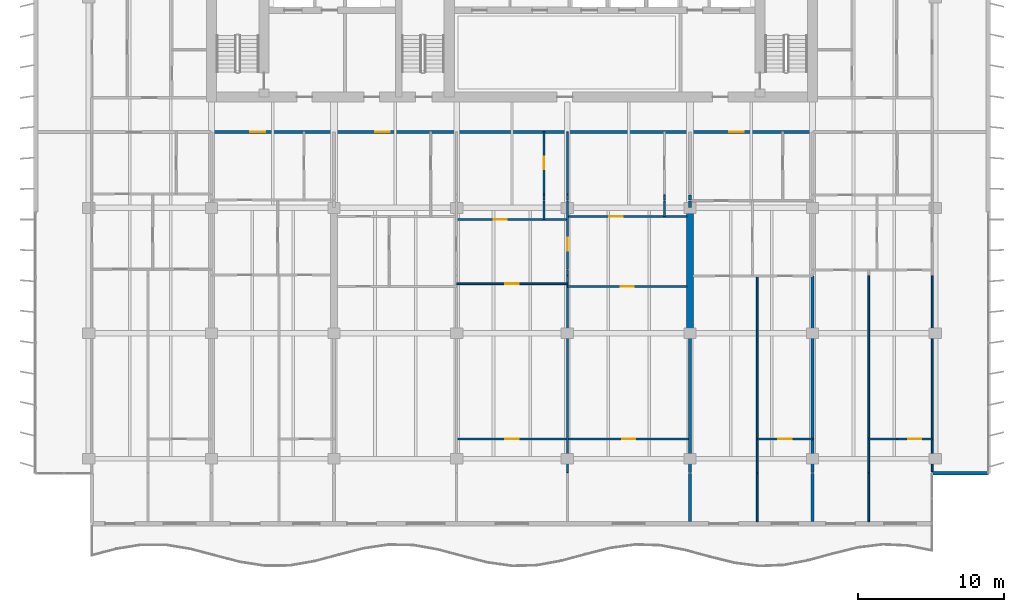
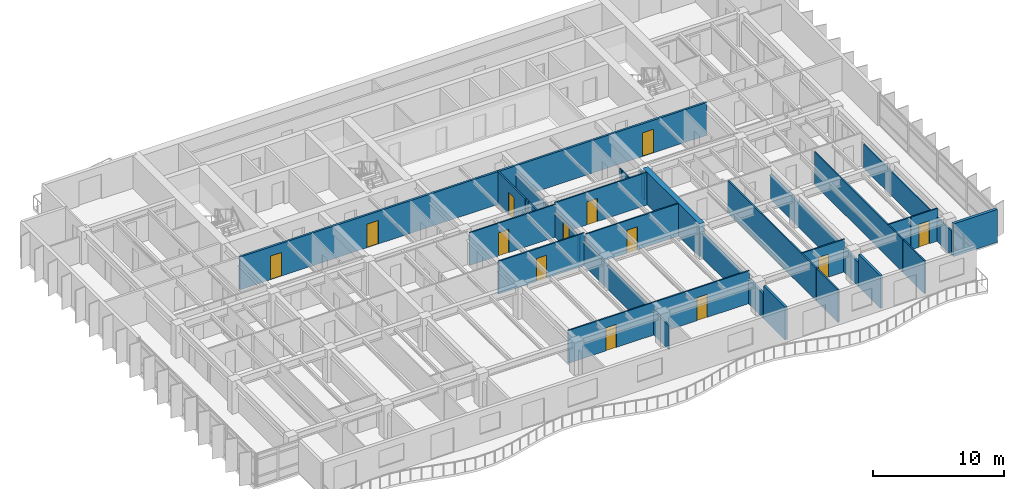
# One storey, part 10 of 18: 32 walls, 13 doors, 13 openings.
"""IFC4 building model written with IfcOpenShell, lengths in metres."""

import ifcopenshell
import ifcopenshell.guid

model = None  # the IFC model being written
_history = None  # IfcOwnerHistory: only IFC2X3 demands one
_inside = {}  # id of a spatial element -> (the spatial element, [elements in it])
_under = {}  # id of a project, library or spatial element -> (it, [spatial elements below it])
_declared = {}  # id of a project -> (the project, [libraries it declares])
_typed = {}  # id of a type object -> (the type object, [elements of that type])
_made_of = {}  # id of a material, layer set ... -> (it, [elements and type objects made of it])


def new_model(schema):
    """Start an empty IFC model of exactly this schema.

    Asked for "IFC4X3", IfcOpenShell would pick the latest addendum, in which some entities
    have other attributes; the version numbers below select the first issue.
    IFC2X3 requires an IfcOwnerHistory on every rooted entity: one is made here for all.
    """
    global model, _history
    if schema == "IFC4X3":
        model = ifcopenshell.file(schema_version=(4, 3, 0, 0))
    else:
        model = ifcopenshell.file(schema=schema)
    _inside.clear()
    _under.clear()
    _declared.clear()
    _typed.clear()
    _made_of.clear()
    _history = None
    if model.schema == "IFC2X3":
        org = make("IfcOrganization", Name="unknown")
        user = make(
            "IfcPersonAndOrganization",
            ThePerson=make("IfcPerson", FamilyName="unknown"),
            TheOrganization=org,
        )
        app = make(
            "IfcApplication",
            ApplicationDeveloper=org,
            Version="unknown",
            ApplicationFullName="unknown",
            ApplicationIdentifier="unknown",
        )
        _history = make(
            "IfcOwnerHistory",
            OwningUser=user,
            OwningApplication=app,
            ChangeAction="ADDED",
            CreationDate=0,
        )
    return model


def make(cls, **values):
    """One entity of the class cls with the attributes given. An attribute that is None is left unset."""
    return model.create_entity(
        cls, **{name: value for name, value in values.items() if value is not None}
    )


def rooted(cls, **values):
    """An entity with a GlobalId (a new one), such as an element, a storey or a relation."""
    return make(cls, GlobalId=ifcopenshell.guid.new(), OwnerHistory=_history, **values)


def si_unit(unit_type, name, prefix=None):
    """IfcSIUnit, for example si_unit("LENGTHUNIT", "METRE", prefix="MILLI")."""
    return make("IfcSIUnit", UnitType=unit_type, Prefix=prefix, Name=name)


def assignment(units):
    """IfcUnitAssignment: the units of a project."""
    return None if units is None else make("IfcUnitAssignment", Units=units)


def point(xyz):
    """IfcCartesianPoint."""
    return None if xyz is None else make("IfcCartesianPoint", Coordinates=xyz)


def direction(xyz):
    """IfcDirection."""
    return None if xyz is None else make("IfcDirection", DirectionRatios=xyz)


def frame(location, z_axis=None, x_axis=None):
    """IfcAxis2Placement3D, a coordinate frame: its origin and axes. An axis left out is left unset."""
    return make(
        "IfcAxis2Placement3D",
        Location=point(location),
        Axis=direction(z_axis),
        RefDirection=direction(x_axis),
    )


def frame_2d(location, x_axis=None):
    """IfcAxis2Placement2D, a coordinate frame in the plane: its origin and x axis."""
    return make(
        "IfcAxis2Placement2D", Location=point(location), RefDirection=direction(x_axis)
    )


def origin():
    """The frame at (0, 0, 0) with its axes left unset."""
    return frame((0.0, 0.0, 0.0))


def place(relative_to, where):
    """IfcLocalPlacement: puts the frame where relative to a parent placement (None: the world)."""
    return make(
        "IfcLocalPlacement", PlacementRelTo=relative_to, RelativePlacement=where
    )


def context(
    kind, dimensions, precision=None, world=None, true_north=None, identifier=None
):
    """IfcGeometricRepresentationContext, for example the 3D "Model" context."""
    return make(
        "IfcGeometricRepresentationContext",
        ContextIdentifier=identifier,
        ContextType=kind,
        CoordinateSpaceDimension=dimensions,
        Precision=precision,
        WorldCoordinateSystem=world,
        TrueNorth=true_north,
    )


def subcontext(parent, identifier, kind, view, scale=None):
    """IfcGeometricRepresentationSubContext, for example "Body" below "Model"."""
    return make(
        "IfcGeometricRepresentationSubContext",
        ContextIdentifier=identifier,
        ContextType=kind,
        ParentContext=parent,
        TargetScale=scale,
        TargetView=view,
    )


def project(units=None, contexts=None):
    """IfcProject with its units and contexts."""
    return rooted(
        "IfcProject",
        Name="project",
        RepresentationContexts=contexts,
        UnitsInContext=assignment(units),
    )


def spatial(cls, under=None, at=None, **own):
    """A site, building, storey or space (cls), placed at a placement, below another one or the project."""
    s = rooted(cls, ObjectPlacement=at, **own)
    if under is not None:
        _under.setdefault(under.id(), (under, []))[1].append(s)
    return s


def profile(cls, at=None, kind="AREA", **sizes):
    """A parametric profile (cls). Its sizes go by their IFC names, for example OverallWidth=200.0."""
    return make(cls, ProfileType=kind, Position=at, **sizes)


def rectangle(**sizes):
    """IfcRectangleProfileDef."""
    return profile("IfcRectangleProfileDef", **sizes)


def extrude(swept, where, along, depth):
    """IfcExtrudedAreaSolid: the profile swept, set in the frame where, extruded along a direction by depth."""
    return make(
        "IfcExtrudedAreaSolid",
        SweptArea=swept,
        Position=where,
        ExtrudedDirection=direction(along),
        Depth=depth,
    )


def shape(context_of_items, identifier, shape_type, items):
    """IfcShapeRepresentation: the items that make up one representation, for example the "Body"."""
    return make(
        "IfcShapeRepresentation",
        ContextOfItems=context_of_items,
        RepresentationIdentifier=identifier,
        RepresentationType=shape_type,
        Items=items,
    )


def material(Name=None, Category=None):
    """IfcMaterial."""
    return make("IfcMaterial", Name=Name, Category=Category)


def layer(
    of_material, thickness, ventilated=None, Name=None, Category=None, Priority=None
):
    """IfcMaterialLayer: one layer of a wall or slab, of a material (None: an air gap)."""
    return make(
        "IfcMaterialLayer",
        Material=of_material,
        LayerThickness=thickness,
        IsVentilated=ventilated,
        Name=Name,
        Category=Category,
        Priority=Priority,
    )


def layer_set(layers, Name=None):
    """IfcMaterialLayerSet."""
    return make("IfcMaterialLayerSet", MaterialLayers=layers, LayerSetName=Name)


def made_of(thing, what):
    """Note that an element or type object is made of a material, layer set ...; save() writes the relation."""
    if what is not None:
        _made_of.setdefault(what.id(), (what, []))[1].append(thing)
    return thing


def type_object(cls, material=None, **own):
    """A type object (cls), such as IfcWallType, which elements share."""
    return made_of(rooted(cls, **own), material)


def element(
    cls,
    number,
    at=None,
    inside=None,
    cuts=None,
    type_object=None,
    material=None,
    context=None,
    identifier="Body",
    shape_type=None,
    held_by="IfcProductDefinitionShape",
    body=None,
    shapes=None,
    **own,
):
    """One element of the class cls, such as IfcWall. Its Tag is "e" and its number.

    at: its placement. inside: the storey or other place that contains it. cuts: it is an
    opening in that element (IfcRelVoidsElement). A single representation is given by context,
    identifier, shape_type and body (its items); several are given by shapes. held_by: the class
    of the entity that holds the representations. save() writes the other relations.
    """
    e = rooted(cls, Tag="e%d" % number, ObjectPlacement=at, **own)
    if body is not None:
        shapes = [shape(context, identifier, shape_type, body)]
    if shapes is not None:
        e.Representation = make(held_by, Representations=shapes)
    if inside is not None:
        _inside.setdefault(inside.id(), (inside, []))[1].append(e)
    if cuts is not None:
        rooted(
            "IfcRelVoidsElement", RelatingBuildingElement=cuts, RelatedOpeningElement=e
        )
    if type_object is not None:
        _typed.setdefault(type_object.id(), (type_object, []))[1].append(e)
    return made_of(e, material)


def fill(opening, filler):
    """IfcRelFillsElement: the door or window that sits in an opening."""
    return rooted(
        "IfcRelFillsElement",
        RelatingOpeningElement=opening,
        RelatedBuildingElement=filler,
    )


def aggregate(whole, parts):
    """IfcRelAggregates: a whole, such as a stair, and the parts it consists of."""
    return rooted("IfcRelAggregates", RelatingObject=whole, RelatedObjects=parts)


def save(model, path):
    """Write the relations noted so far, then the file.

    IfcRelAggregates (storeys below a building ...), IfcRelContainedInSpatialStructure (elements
    in a storey), IfcRelDefinesByType, IfcRelAssociatesMaterial and IfcRelDeclares: one each for
    every whole, place, type object, material and project.
    """
    for whole, parts in _under.values():
        aggregate(whole, parts)
    for where, things in _inside.values():
        rooted(
            "IfcRelContainedInSpatialStructure",
            RelatedElements=things,
            RelatingStructure=where,
        )
    for kind, things in _typed.values():
        rooted("IfcRelDefinesByType", RelatedObjects=things, RelatingType=kind)
    for what, things in _made_of.values():
        rooted("IfcRelAssociatesMaterial", RelatedObjects=things, RelatingMaterial=what)
    for by, libraries in _declared.values():
        rooted("IfcRelDeclares", RelatingContext=by, RelatedDefinitions=libraries)
    model.write(path)


model = new_model("IFC4")

# Units and contexts
model_context = context("Model", 3, precision=1e-05, world=origin(), true_north=direction((0.0, 1.0)))
body_context = subcontext(model_context, "Body", "Model", "MODEL_VIEW")
ifc_project = project(units=[si_unit("LENGTHUNIT", "METRE"), si_unit("AREAUNIT", "SQUARE_METRE"), si_unit("VOLUMEUNIT", "CUBIC_METRE"), si_unit("PLANEANGLEUNIT", "RADIAN"), si_unit("MASSUNIT", "GRAM", prefix="KILO")], contexts=[model_context])

# Site, building, storey
site_placement = place(None, origin())
site = spatial("IfcSite", under=ifc_project, at=site_placement, CompositionType="ELEMENT")
building_placement = place(site_placement, origin())
building = spatial("IfcBuilding", under=site, at=building_placement, Name="Caelmar Bay Residences", CompositionType="ELEMENT")
storey_placement = place(building_placement, frame((0.0, 0.0, 173.699951171875)))
storey = spatial("IfcBuildingStorey", under=building, at=storey_placement, Name="L48", CompositionType="ELEMENT", Elevation=173.699951171875)

# Wall
ifc_material_1 = material(Name="Concrete f'c 55 MPa (8,000 psi)", Category="concrete")
ifc_layer_1 = layer(ifc_material_1, 0.449951171875)
ifc_layer_set_1 = layer_set([ifc_layer_1], Name="Concrete f'c 55 MPa (8,000 psi)")
wall_type_1 = type_object("IfcWallType", Name="SW-XSLB-450", PredefinedType="SHEAR", material=ifc_layer_set_1)
wall_1_placement = place(storey_placement, frame((51.10009765625, 20.800048828125, 0.0), z_axis=(0.0, 0.0, 1.0), x_axis=(0.0, 1.0, 0.0)))
element("IfcWall", 1, at=wall_1_placement, inside=storey, type_object=wall_type_1, Name="L48 Transverse Cross-Slab Shear Wall E8", PredefinedType="SHEAR", context=body_context, shape_type="SweptSolid", body=[
    extrude(rectangle(XDim=8.599853515625, YDim=0.449951171875, at=frame_2d((4.2998046875, 0.0))), origin(), (0.0, 0.0, 1.0), 3.050048828125),
])

# Wall, openings, doors
ifc_material_2 = material(Name="Double-stud acoustic fire-rated gypsum partition 180 mm")
ifc_layer_2 = layer(ifc_material_2, 0.179931640625)
ifc_layer_set_2 = layer_set([ifc_layer_2], Name="Double-stud acoustic fire-rated gypsum partition 180 mm")
wall_type_2 = type_object("IfcWallType", Name="W-COR-200", PredefinedType="PARTITIONING", material=ifc_layer_set_2)
wall_2_placement = place(storey_placement, frame((18.300048828125, 34.60009765625, 0.0), z_axis=(0.0, 0.0, 1.0), x_axis=(1.0, 0.0, 0.0)))
wall_2 = element("IfcWall", 2, at=wall_2_placement, inside=storey, type_object=wall_type_2, Name="L48 Partition Wall H128", PredefinedType="PARTITIONING", context=body_context, shape_type="SweptSolid", body=[
    extrude(rectangle(XDim=41.199951171875, YDim=0.179931640625, at=frame_2d((20.60009765625, 0.0))), origin(), (0.0, 0.0, 1.0), 3.050048828125),
])
opening_1_placement = place(wall_2_placement, frame((2.669921875, 0.0, 0.0)))
opening_1 = element("IfcOpeningElement", 3, at=opening_1_placement, cuts=wall_2, Name="Opening D-L48-127", PredefinedType="OPENING", context=body_context, shape_type="SweptSolid", body=[
    extrude(rectangle(XDim=1.0, YDim=2.199951171875, at=frame_2d((0.5, 1.10009765625))), frame((0.0, 0.099853515625, 0.0), z_axis=(0.0, -1.0, 0.0), x_axis=(1.0, 0.0, 0.0)), (0.0, 0.0, 1.0), 0.199951171875),
])
opening_2_placement = place(wall_2_placement, frame((11.2119140625, 0.0, 0.0)))
opening_2 = element("IfcOpeningElement", 4, at=opening_2_placement, cuts=wall_2, Name="Opening D-L48-134", PredefinedType="OPENING", context=body_context, shape_type="SweptSolid", body=[
    extrude(rectangle(XDim=1.0, YDim=2.199951171875, at=frame_2d((0.5, 1.10009765625))), frame((0.0, 0.099853515625, 0.0), z_axis=(0.0, -1.0, 0.0), x_axis=(1.0, 0.0, 0.0)), (0.0, 0.0, 1.0), 0.199951171875),
])
opening_3_placement = place(wall_2_placement, frame((35.48291015625, 0.0, 0.0)))
opening_3 = element("IfcOpeningElement", 5, at=opening_3_placement, cuts=wall_2, Name="Opening D-L48-149", PredefinedType="OPENING", context=body_context, shape_type="SweptSolid", body=[
    extrude(rectangle(XDim=1.0, YDim=2.199951171875, at=frame_2d((0.5, 1.10009765625))), frame((0.0, 0.099853515625, 0.0), z_axis=(0.0, -1.0, 0.0), x_axis=(1.0, 0.0, 0.0)), (0.0, 0.0, 1.0), 0.199951171875),
])
ifc_material_3 = material(Name="Fire-rated steel and walnut architectural door assembly", Category="steel")
ifc_layer_3 = layer(ifc_material_3, 0.050048828125)
ifc_layer_set_3 = layer_set([ifc_layer_3], Name="Fire-rated steel and walnut architectural door assembly")
door_type_1 = type_object("IfcDoorType", Name="D-UNIT-1000", OperationType="NOTDEFINED", PredefinedType="DOOR", material=ifc_layer_set_3)
door_1_placement = place(opening_1_placement, origin())
door_1 = element("IfcDoor", 6, at=door_1_placement, inside=storey, type_object=door_type_1, Name="L48 Residence 02 Apartment Hall Door", OperationType="SINGLE_SWING_RIGHT", OverallHeight=2.199951171875, OverallWidth=1.0, PredefinedType="DOOR", context=body_context, shape_type="SweptSolid", body=[
    extrude(rectangle(XDim=1.0, YDim=2.199951171875, at=frame_2d((0.5, 1.10009765625))), frame((0.0, 0.02490234375, 0.0), z_axis=(0.0, -1.0, 0.0), x_axis=(1.0, 0.0, 0.0)), (0.0, 0.0, 1.0), 0.050048828125),
])
fill(opening_1, door_1)
door_2_placement = place(opening_2_placement, origin())
door_2 = element("IfcDoor", 7, at=door_2_placement, inside=storey, type_object=door_type_1, Name="L48 Residence 03 Apartment Hall Door", OperationType="SINGLE_SWING_LEFT", OverallHeight=2.199951171875, OverallWidth=1.0, PredefinedType="DOOR", context=body_context, shape_type="SweptSolid", body=[
    extrude(rectangle(XDim=1.0, YDim=2.199951171875, at=frame_2d((0.5, 1.10009765625))), frame((0.0, 0.02490234375, 0.0), z_axis=(0.0, -1.0, 0.0), x_axis=(1.0, 0.0, 0.0)), (0.0, 0.0, 1.0), 0.050048828125),
])
fill(opening_2, door_2)
door_3_placement = place(opening_3_placement, origin())
door_3 = element("IfcDoor", 8, at=door_3_placement, inside=storey, type_object=door_type_1, Name="L48 Residence 04 Apartment Hall Door", OperationType="SINGLE_SWING_RIGHT", OverallHeight=2.199951171875, OverallWidth=1.0, PredefinedType="DOOR", context=body_context, shape_type="SweptSolid", body=[
    extrude(rectangle(XDim=1.0, YDim=2.199951171875, at=frame_2d((0.5, 1.10009765625))), frame((0.0, 0.02490234375, 0.0), z_axis=(0.0, -1.0, 0.0), x_axis=(1.0, 0.0, 0.0)), (0.0, 0.0, 1.0), 0.050048828125),
])
fill(opening_3, door_3)

# Walls
ifc_material_4 = material(Name="Precast concrete f'c 40 MPa (6,000 psi)", Category="concrete")
ifc_layer_4 = layer(ifc_material_4, 0.25)
ifc_layer_set_4 = layer_set([ifc_layer_4], Name="Precast concrete f'c 40 MPa (6,000 psi)")
wall_type_3 = type_object("IfcWallType", Name="W-EXT-250", PredefinedType="ELEMENTEDWALL", material=ifc_layer_set_4)
wall_3_placement = place(storey_placement, frame((67.699951171875, 11.199951171875, 0.0), z_axis=(0.0, 0.0, 1.0), x_axis=(1.0, 0.0, 0.0)))
element("IfcWall", 9, at=wall_3_placement, inside=storey, type_object=wall_type_3, Name="L48 SE Notch Return Wall", PredefinedType="ELEMENTEDWALL", context=body_context, shape_type="SweptSolid", body=[
    extrude(rectangle(XDim=3.85009765625, YDim=0.25, at=frame_2d((1.925048828125, 0.0))), origin(), (0.0, 0.0, 1.0), 3.050048828125),
])
ifc_material_5 = material(Name="Acoustic metal-stud gypsum partition 120 mm")
ifc_layer_5 = layer(ifc_material_5, 0.1201171875)
ifc_layer_set_5 = layer_set([ifc_layer_5], Name="Acoustic metal-stud gypsum partition 120 mm")
wall_type_4 = type_object("IfcWallType", Name="W-PRT-120", PredefinedType="PARTITIONING", material=ifc_layer_set_5)
wall_4_placement = place(storey_placement, frame((41.10009765625, 28.60009765625, 0.0), z_axis=(0.0, 0.0, 1.0), x_axis=(0.0, 1.0, 0.0)))
element("IfcWall", 10, at=wall_4_placement, inside=storey, type_object=wall_type_4, Name="L48 Partition Wall V052", PredefinedType="PARTITIONING", context=body_context, shape_type="SweptSolid", body=[
    extrude(rectangle(XDim=1.27978515625, YDim=0.1201171875, at=frame_2d((0.639892578125, 0.0))), origin(), (0.0, 0.0, 1.0), 3.050048828125),
])
wall_5_placement = place(storey_placement, frame((41.10009765625, 29.93994140625, 0.0), z_axis=(0.0, 0.0, 1.0), x_axis=(0.0, 1.0, 0.0)))
element("IfcWall", 11, at=wall_5_placement, inside=storey, type_object=wall_type_4, Name="L48 Partition Wall V053", PredefinedType="PARTITIONING", context=body_context, shape_type="SweptSolid", body=[
    extrude(rectangle(XDim=0.340087890625, YDim=0.1201171875, at=frame_2d((0.169921875, 0.0))), origin(), (0.0, 0.0, 1.0), 3.050048828125),
])

# Wall, opening, door
wall_6_placement = place(storey_placement, frame((41.10009765625, 30.340087890625, 0.0), z_axis=(0.0, 0.0, 1.0), x_axis=(0.0, 1.0, 0.0)))
wall_6 = element("IfcWall", 12, at=wall_6_placement, inside=storey, type_object=wall_type_4, Name="L48 Partition Wall V054", PredefinedType="PARTITIONING", context=body_context, shape_type="SweptSolid", body=[
    extrude(rectangle(XDim=4.260009765625, YDim=0.1201171875, at=frame_2d((2.1298828125, 0.0))), origin(), (0.0, 0.0, 1.0), 3.050048828125),
])
opening_4_placement = place(wall_6_placement, frame((1.705078125, 0.0, 0.0)))
opening_4 = element("IfcOpeningElement", 13, at=opening_4_placement, cuts=wall_6, Name="Opening D-L48-141", PredefinedType="OPENING", context=body_context, shape_type="SweptSolid", body=[
    extrude(rectangle(XDim=0.85009765625, YDim=2.10009765625, at=frame_2d((0.425048828125, 1.050048828125))), frame((0.0, 0.070068359375, 0.0), z_axis=(0.0, -1.0, 0.0), x_axis=(1.0, 0.0, 0.0)), (0.0, 0.0, 1.0), 0.14013671875),
])
ifc_material_6 = material(Name="Solid walnut timber interior door leaf and frame", Category="wood")
ifc_layer_6 = layer(ifc_material_6, 0.050048828125)
ifc_layer_set_6 = layer_set([ifc_layer_6], Name="Solid walnut timber interior door leaf and frame")
door_type_2 = type_object("IfcDoorType", Name="D-BATH-850", OperationType="NOTDEFINED", PredefinedType="DOOR", material=ifc_layer_set_6)
door_4_placement = place(opening_4_placement, origin())
door_4 = element("IfcDoor", 14, at=door_4_placement, inside=storey, type_object=door_type_2, Name="L48 Residence 03 En-Suite Bathroom 1 Door", OperationType="SINGLE_SWING_RIGHT", OverallHeight=2.10009765625, OverallWidth=0.85009765625, PredefinedType="DOOR", context=body_context, shape_type="SweptSolid", body=[
    extrude(rectangle(XDim=0.85009765625, YDim=2.10009765625, at=frame_2d((0.425048828125, 1.050048828125))), frame((0.0, 0.02490234375, 0.0), z_axis=(0.0, -1.0, 0.0), x_axis=(1.0, 0.0, 0.0)), (0.0, 0.0, 1.0), 0.050048828125),
])
fill(opening_4, door_4)

# Walls
wall_7_placement = place(storey_placement, frame((42.699951171875, 11.239990234375, 0.0), z_axis=(0.0, 0.0, 1.0), x_axis=(0.0, 1.0, 0.0)))
element("IfcWall", 15, at=wall_7_placement, inside=storey, type_object=wall_type_4, Name="L48 Partition Wall V056", PredefinedType="PARTITIONING", context=body_context, shape_type="SweptSolid", body=[
    extrude(rectangle(XDim=13.489990234375, YDim=0.1201171875, at=frame_2d((6.7451171875, 0.0))), origin(), (0.0, 0.0, 1.0), 2.262939453125),
])
wall_8_placement = place(storey_placement, frame((42.699951171875, 24.7900390625, 0.0), z_axis=(0.0, 0.0, 1.0), x_axis=(0.0, 1.0, 0.0)))
element("IfcWall", 16, at=wall_8_placement, inside=storey, type_object=wall_type_4, Name="L48 Partition Wall V057", PredefinedType="PARTITIONING", context=body_context, shape_type="SweptSolid", body=[
    extrude(rectangle(XDim=0.33984375, YDim=0.1201171875, at=frame_2d((0.169921875, 0.0))), origin(), (0.0, 0.0, 1.0), 2.262939453125),
])

# Wall, opening, door
wall_9_placement = place(storey_placement, frame((42.699951171875, 25.18994140625, 0.0), z_axis=(0.0, 0.0, 1.0), x_axis=(0.0, 1.0, 0.0)))
wall_9 = element("IfcWall", 17, at=wall_9_placement, inside=storey, type_object=wall_type_4, Name="L48 Partition Wall V058", PredefinedType="PARTITIONING", context=body_context, shape_type="SweptSolid", body=[
    extrude(rectangle(XDim=4.68994140625, YDim=0.1201171875, at=frame_2d((2.344970703125, 0.0))), origin(), (0.0, 0.0, 1.0), 2.262939453125),
])
opening_5_placement = place(wall_9_placement, frame((1.2548828125, 0.0, 0.0)))
opening_5 = element("IfcOpeningElement", 18, at=opening_5_placement, cuts=wall_9, Name="Opening D-L48-144", PredefinedType="OPENING", context=body_context, shape_type="SweptSolid", body=[
    extrude(rectangle(XDim=0.89990234375, YDim=2.14990234375, at=frame_2d((0.449951171875, 1.074951171875))), frame((0.0, 0.070068359375, 0.0), z_axis=(0.0, -1.0, 0.0), x_axis=(1.0, 0.0, 0.0)), (0.0, 0.0, 1.0), 0.14013671875),
])
ifc_layer_7 = layer(ifc_material_6, 0.050048828125)
ifc_layer_set_7 = layer_set([ifc_layer_7], Name="Solid walnut timber interior door leaf and frame")
door_type_3 = type_object("IfcDoorType", Name="D-ROOM-900", OperationType="NOTDEFINED", PredefinedType="DOOR", material=ifc_layer_set_7)
door_5_placement = place(opening_5_placement, origin())
door_5 = element("IfcDoor", 19, at=door_5_placement, inside=storey, type_object=door_type_3, Name="L48 Residence 03 Formal Dining Room 2 Door", OperationType="SINGLE_SWING_LEFT", OverallHeight=2.14990234375, OverallWidth=0.89990234375, PredefinedType="DOOR", context=body_context, shape_type="SweptSolid", body=[
    extrude(rectangle(XDim=0.89990234375, YDim=2.14990234375, at=frame_2d((0.449951171875, 1.074951171875))), frame((0.0, 0.02490234375, 0.0), z_axis=(0.0, -1.0, 0.0), x_axis=(1.0, 0.0, 0.0)), (0.0, 0.0, 1.0), 0.050048828125),
])
fill(opening_5, door_5)

# Walls
wall_10_placement = place(storey_placement, frame((42.699951171875, 29.93994140625, 0.0), z_axis=(0.0, 0.0, 1.0), x_axis=(0.0, 1.0, 0.0)))
element("IfcWall", 20, at=wall_10_placement, inside=storey, type_object=wall_type_4, Name="L48 Partition Wall V059", PredefinedType="PARTITIONING", context=body_context, shape_type="SweptSolid", body=[
    extrude(rectangle(XDim=0.340087890625, YDim=0.1201171875, at=frame_2d((0.169921875, 0.0))), origin(), (0.0, 0.0, 1.0), 2.262939453125),
])
wall_11_placement = place(storey_placement, frame((42.699951171875, 30.340087890625, 0.0), z_axis=(0.0, 0.0, 1.0), x_axis=(0.0, 1.0, 0.0)))
element("IfcWall", 21, at=wall_11_placement, inside=storey, type_object=wall_type_4, Name="L48 Partition Wall V060", PredefinedType="PARTITIONING", context=body_context, shape_type="SweptSolid", body=[
    extrude(rectangle(XDim=4.260009765625, YDim=0.1201171875, at=frame_2d((2.1298828125, 0.0))), origin(), (0.0, 0.0, 1.0), 2.262939453125),
])
wall_12_placement = place(storey_placement, frame((49.35888671875, 28.800048828125, 0.0), z_axis=(0.0, 0.0, 1.0), x_axis=(0.0, 1.0, 0.0)))
element("IfcWall", 22, at=wall_12_placement, inside=storey, type_object=wall_type_4, Name="L48 Partition Wall V064", PredefinedType="PARTITIONING", context=body_context, shape_type="SweptSolid", body=[
    extrude(rectangle(XDim=1.079833984375, YDim=0.1201171875, at=frame_2d((0.5400390625, 0.0))), origin(), (0.0, 0.0, 1.0), 3.050048828125),
])
wall_13_placement = place(storey_placement, frame((49.35888671875, 29.93994140625, 0.0), z_axis=(0.0, 0.0, 1.0), x_axis=(0.0, 1.0, 0.0)))
element("IfcWall", 23, at=wall_13_placement, inside=storey, type_object=wall_type_4, Name="L48 Partition Wall V065", PredefinedType="PARTITIONING", context=body_context, shape_type="SweptSolid", body=[
    extrude(rectangle(XDim=0.340087890625, YDim=0.1201171875, at=frame_2d((0.169921875, 0.0))), origin(), (0.0, 0.0, 1.0), 3.050048828125),
])
wall_14_placement = place(storey_placement, frame((55.719970703125, 7.89501953125, 0.0), z_axis=(0.0, 0.0, 1.0), x_axis=(0.0, 1.0, 0.0)))
element("IfcWall", 24, at=wall_14_placement, inside=storey, type_object=wall_type_4, Name="L48 Partition Wall V077", PredefinedType="PARTITIONING", context=body_context, shape_type="SweptSolid", body=[
    extrude(rectangle(XDim=3.304931640625, YDim=0.1201171875, at=frame_2d((1.65234375, 0.0))), origin(), (0.0, 0.0, 1.0), 3.050048828125),
])
wall_15_placement = place(storey_placement, frame((55.719970703125, 11.239990234375, 0.0), z_axis=(0.0, 0.0, 1.0), x_axis=(0.0, 1.0, 0.0)))
element("IfcWall", 25, at=wall_15_placement, inside=storey, type_object=wall_type_4, Name="L48 Partition Wall V078", PredefinedType="PARTITIONING", context=body_context, shape_type="SweptSolid", body=[
    extrude(rectangle(XDim=13.489990234375, YDim=0.1201171875, at=frame_2d((6.7451171875, 0.0))), origin(), (0.0, 0.0, 1.0), 3.050048828125),
])
wall_16_placement = place(storey_placement, frame((63.35400390625, 7.89501953125, 0.0), z_axis=(0.0, 0.0, 1.0), x_axis=(0.0, 1.0, 0.0)))
element("IfcWall", 26, at=wall_16_placement, inside=storey, type_object=wall_type_4, Name="L48 Partition Wall V089", PredefinedType="PARTITIONING", context=body_context, shape_type="SweptSolid", body=[
    extrude(rectangle(XDim=3.304931640625, YDim=0.1201171875, at=frame_2d((1.65234375, 0.0))), origin(), (0.0, 0.0, 1.0), 3.050048828125),
])
wall_17_placement = place(storey_placement, frame((63.35400390625, 11.239990234375, 0.0), z_axis=(0.0, 0.0, 1.0), x_axis=(0.0, 1.0, 0.0)))
element("IfcWall", 27, at=wall_17_placement, inside=storey, type_object=wall_type_4, Name="L48 Partition Wall V090", PredefinedType="PARTITIONING", context=body_context, shape_type="SweptSolid", body=[
    extrude(rectangle(XDim=13.489990234375, YDim=0.1201171875, at=frame_2d((6.7451171875, 0.0))), origin(), (0.0, 0.0, 1.0), 3.050048828125),
])
wall_18_placement = place(storey_placement, frame((67.699951171875, 11.320068359375, 0.0), z_axis=(0.0, 0.0, 1.0), x_axis=(0.0, 1.0, 0.0)))
element("IfcWall", 28, at=wall_18_placement, inside=storey, type_object=wall_type_4, Name="L48 Partition Wall V096", PredefinedType="PARTITIONING", context=body_context, shape_type="SweptSolid", body=[
    extrude(rectangle(XDim=13.409912109375, YDim=0.1201171875, at=frame_2d((6.705078125, 0.0))), origin(), (0.0, 0.0, 1.0), 2.262939453125),
])

# Wall, openings, doors
wall_19_placement = place(storey_placement, frame((35.10009765625, 13.550048828125, 0.0), z_axis=(0.0, 0.0, 1.0), x_axis=(1.0, 0.0, 0.0)))
wall_19 = element("IfcWall", 29, at=wall_19_placement, inside=storey, type_object=wall_type_4, Name="L48 Partition Wall H106", PredefinedType="PARTITIONING", context=body_context, shape_type="SweptSolid", body=[
    extrude(rectangle(XDim=16.0, YDim=0.1201171875, at=frame_2d((8.0, 0.0))), origin(), (0.0, 0.0, 1.0), 3.050048828125),
])
opening_6_placement = place(wall_19_placement, frame((3.35009765625, 0.0, 0.0)))
opening_6 = element("IfcOpeningElement", 30, at=opening_6_placement, cuts=wall_19, Name="Opening D-L48-143", PredefinedType="OPENING", context=body_context, shape_type="SweptSolid", body=[
    extrude(rectangle(XDim=0.89990234375, YDim=2.14990234375, at=frame_2d((0.449951171875, 1.074951171875))), frame((0.0, 0.070068359375, 0.0), z_axis=(0.0, -1.0, 0.0), x_axis=(1.0, 0.0, 0.0)), (0.0, 0.0, 1.0), 0.14013671875),
])
opening_7_placement = place(wall_19_placement, frame((11.35009765625, 0.0, 0.0)))
opening_7 = element("IfcOpeningElement", 31, at=opening_7_placement, cuts=wall_19, Name="Opening D-L48-148", PredefinedType="OPENING", context=body_context, shape_type="SweptSolid", body=[
    extrude(rectangle(XDim=0.89990234375, YDim=2.14990234375, at=frame_2d((0.449951171875, 1.074951171875))), frame((0.0, 0.070068359375, 0.0), z_axis=(0.0, -1.0, 0.0), x_axis=(1.0, 0.0, 0.0)), (0.0, 0.0, 1.0), 0.14013671875),
])
door_6_placement = place(opening_6_placement, origin())
door_6 = element("IfcDoor", 32, at=door_6_placement, inside=storey, type_object=door_type_3, Name="L48 Residence 03 Primary Bedroom 1 Door", OperationType="SINGLE_SWING_RIGHT", OverallHeight=2.14990234375, OverallWidth=0.89990234375, PredefinedType="DOOR", context=body_context, shape_type="SweptSolid", body=[
    extrude(rectangle(XDim=0.89990234375, YDim=2.14990234375, at=frame_2d((0.449951171875, 1.074951171875))), frame((0.0, 0.02490234375, 0.0), z_axis=(0.0, -1.0, 0.0), x_axis=(1.0, 0.0, 0.0)), (0.0, 0.0, 1.0), 0.050048828125),
])
fill(opening_6, door_6)
door_7_placement = place(opening_7_placement, origin())
door_7 = element("IfcDoor", 33, at=door_7_placement, inside=storey, type_object=door_type_3, Name="L48 Residence 03 Primary Bedroom 2 Door", OperationType="SINGLE_SWING_LEFT", OverallHeight=2.14990234375, OverallWidth=0.89990234375, PredefinedType="DOOR", context=body_context, shape_type="SweptSolid", body=[
    extrude(rectangle(XDim=0.89990234375, YDim=2.14990234375, at=frame_2d((0.449951171875, 1.074951171875))), frame((0.0, 0.02490234375, 0.0), z_axis=(0.0, -1.0, 0.0), x_axis=(1.0, 0.0, 0.0)), (0.0, 0.0, 1.0), 0.050048828125),
])
fill(opening_7, door_7)

# Wall, opening, door
wall_20_placement = place(storey_placement, frame((55.719970703125, 13.550048828125, 0.0), z_axis=(0.0, 0.0, 1.0), x_axis=(1.0, 0.0, 0.0)))
wall_20 = element("IfcWall", 34, at=wall_20_placement, inside=storey, type_object=wall_type_4, Name="L48 Partition Wall H107", PredefinedType="PARTITIONING", context=body_context, shape_type="SweptSolid", body=[
    extrude(rectangle(XDim=3.780029296875, YDim=0.1201171875, at=frame_2d((1.89013671875, 0.0))), origin(), (0.0, 0.0, 1.0), 3.050048828125),
])
opening_8_placement = place(wall_20_placement, frame((1.43994140625, 0.0, 0.0)))
opening_8 = element("IfcOpeningElement", 35, at=opening_8_placement, cuts=wall_20, Name="Opening D-L48-155", PredefinedType="OPENING", context=body_context, shape_type="SweptSolid", body=[
    extrude(rectangle(XDim=0.89990234375, YDim=2.14990234375, at=frame_2d((0.449951171875, 1.074951171875))), frame((0.0, 0.070068359375, 0.0), z_axis=(0.0, -1.0, 0.0), x_axis=(1.0, 0.0, 0.0)), (0.0, 0.0, 1.0), 0.14013671875),
])
door_8_placement = place(opening_8_placement, origin())
door_8 = element("IfcDoor", 36, at=door_8_placement, inside=storey, type_object=door_type_3, Name="L48 Residence 04 Primary Bedroom Door", OperationType="SINGLE_SWING_RIGHT", OverallHeight=2.14990234375, OverallWidth=0.89990234375, PredefinedType="DOOR", context=body_context, shape_type="SweptSolid", body=[
    extrude(rectangle(XDim=0.89990234375, YDim=2.14990234375, at=frame_2d((0.449951171875, 1.074951171875))), frame((0.0, 0.02490234375, 0.0), z_axis=(0.0, -1.0, 0.0), x_axis=(1.0, 0.0, 0.0)), (0.0, 0.0, 1.0), 0.050048828125),
])
fill(opening_8, door_8)

# Wall
wall_21_placement = place(storey_placement, frame((63.35400390625, 13.550048828125, 0.0), z_axis=(0.0, 0.0, 1.0), x_axis=(1.0, 0.0, 0.0)))
element("IfcWall", 37, at=wall_21_placement, inside=storey, type_object=wall_type_4, Name="L48 Partition Wall H108", PredefinedType="PARTITIONING", context=body_context, shape_type="SweptSolid", body=[
    extrude(rectangle(XDim=1.926025390625, YDim=0.1201171875, at=frame_2d((0.962890625, 0.0))), origin(), (0.0, 0.0, 1.0), 3.050048828125),
])

# Wall, opening, door
wall_22_placement = place(storey_placement, frame((65.31591796875, 13.550048828125, 0.0), z_axis=(0.0, 0.0, 1.0), x_axis=(1.0, 0.0, 0.0)))
wall_22 = element("IfcWall", 38, at=wall_22_placement, inside=storey, type_object=wall_type_4, Name="L48 Partition Wall H109", PredefinedType="PARTITIONING", context=body_context, shape_type="SweptSolid", body=[
    extrude(rectangle(XDim=2.384033203125, YDim=0.1201171875, at=frame_2d((1.19189453125, 0.0))), origin(), (0.0, 0.0, 1.0), 3.050048828125),
])
opening_9_placement = place(wall_22_placement, frame((0.741943359375, 0.0, 0.0)))
opening_9 = element("IfcOpeningElement", 39, at=opening_9_placement, cuts=wall_22, Name="Opening D-L48-162", PredefinedType="OPENING", context=body_context, shape_type="SweptSolid", body=[
    extrude(rectangle(XDim=0.89990234375, YDim=2.14990234375, at=frame_2d((0.449951171875, 1.074951171875))), frame((0.0, 0.070068359375, 0.0), z_axis=(0.0, -1.0, 0.0), x_axis=(1.0, 0.0, 0.0)), (0.0, 0.0, 1.0), 0.14013671875),
])
door_9_placement = place(opening_9_placement, origin())
door_9 = element("IfcDoor", 40, at=door_9_placement, inside=storey, type_object=door_type_3, Name="L48 Residence 05 Primary Bedroom Door", OperationType="SINGLE_SWING_LEFT", OverallHeight=2.14990234375, OverallWidth=0.89990234375, PredefinedType="DOOR", context=body_context, shape_type="SweptSolid", body=[
    extrude(rectangle(XDim=0.89990234375, YDim=2.14990234375, at=frame_2d((0.449951171875, 1.074951171875))), frame((0.0, 0.02490234375, 0.0), z_axis=(0.0, -1.0, 0.0), x_axis=(1.0, 0.0, 0.0)), (0.0, 0.0, 1.0), 0.050048828125),
])
fill(opening_9, door_9)

wall_23_placement = place(storey_placement, frame((42.699951171875, 24.0, 0.0), z_axis=(0.0, 0.0, 1.0), x_axis=(1.0, 0.0, 0.0)))
wall_23 = element("IfcWall", 41, at=wall_23_placement, inside=storey, type_object=wall_type_4, Name="L48 Partition Wall H111", PredefinedType="PARTITIONING", context=body_context, shape_type="SweptSolid", body=[
    extrude(rectangle(XDim=8.179931640625, YDim=0.1201171875, at=frame_2d((4.08984375, 0.0))), origin(), (0.0, 0.0, 1.0), 3.050048828125),
])
opening_10_placement = place(wall_23_placement, frame((3.639892578125, 0.0, 0.0)))
opening_10 = element("IfcOpeningElement", 42, at=opening_10_placement, cuts=wall_23, Name="Opening D-L48-147", PredefinedType="OPENING", context=body_context, shape_type="SweptSolid", body=[
    extrude(rectangle(XDim=0.89990234375, YDim=2.14990234375, at=frame_2d((0.449951171875, 1.074951171875))), frame((0.0, 0.070068359375, 0.0), z_axis=(0.0, -1.0, 0.0), x_axis=(1.0, 0.0, 0.0)), (0.0, 0.0, 1.0), 0.14013671875),
])
door_10_placement = place(opening_10_placement, origin())
door_10 = element("IfcDoor", 43, at=door_10_placement, inside=storey, type_object=door_type_3, Name="L48 Residence 03 Penthouse Sitting Salon 2 Door", OperationType="SINGLE_SWING_RIGHT", OverallHeight=2.14990234375, OverallWidth=0.89990234375, PredefinedType="DOOR", context=body_context, shape_type="SweptSolid", body=[
    extrude(rectangle(XDim=0.89990234375, YDim=2.14990234375, at=frame_2d((0.449951171875, 1.074951171875))), frame((0.0, 0.02490234375, 0.0), z_axis=(0.0, -1.0, 0.0), x_axis=(1.0, 0.0, 0.0)), (0.0, 0.0, 1.0), 0.050048828125),
])
fill(opening_10, door_10)

wall_24_placement = place(storey_placement, frame((35.10498046875, 24.199951171875, 0.0), z_axis=(0.0, 0.0, 1.0), x_axis=(1.0, 0.0, 0.0)))
wall_24 = element("IfcWall", 44, at=wall_24_placement, inside=storey, type_object=wall_type_4, Name="L48 Partition Wall H112", PredefinedType="PARTITIONING", context=body_context, shape_type="SweptSolid", body=[
    extrude(rectangle(XDim=7.590087890625, YDim=0.1201171875, at=frame_2d((3.794921875, 0.0))), origin(), (0.0, 0.0, 1.0), 3.050048828125),
])
opening_11_placement = place(wall_24_placement, frame((3.344970703125, 0.0, 0.0)))
opening_11 = element("IfcOpeningElement", 45, at=opening_11_placement, cuts=wall_24, Name="Opening D-L48-142", PredefinedType="OPENING", context=body_context, shape_type="SweptSolid", body=[
    extrude(rectangle(XDim=0.89990234375, YDim=2.14990234375, at=frame_2d((0.449951171875, 1.074951171875))), frame((0.0, 0.070068359375, 0.0), z_axis=(0.0, -1.0, 0.0), x_axis=(1.0, 0.0, 0.0)), (0.0, 0.0, 1.0), 0.14013671875),
])
door_11_placement = place(opening_11_placement, origin())
door_11 = element("IfcDoor", 46, at=door_11_placement, inside=storey, type_object=door_type_3, Name="L48 Residence 03 Penthouse Sitting Salon 1 Door", OperationType="SINGLE_SWING_LEFT", OverallHeight=2.14990234375, OverallWidth=0.89990234375, PredefinedType="DOOR", context=body_context, shape_type="SweptSolid", body=[
    extrude(rectangle(XDim=0.89990234375, YDim=2.14990234375, at=frame_2d((0.449951171875, 1.074951171875))), frame((0.0, 0.02490234375, 0.0), z_axis=(0.0, -1.0, 0.0), x_axis=(1.0, 0.0, 0.0)), (0.0, 0.0, 1.0), 0.050048828125),
])
fill(opening_11, door_11)

wall_25_placement = place(storey_placement, frame((35.10009765625, 28.60009765625, 0.0), z_axis=(0.0, 0.0, 1.0), x_axis=(1.0, 0.0, 0.0)))
wall_25 = element("IfcWall", 47, at=wall_25_placement, inside=storey, type_object=wall_type_4, Name="L48 Partition Wall H118", PredefinedType="PARTITIONING", context=body_context, shape_type="SweptSolid", body=[
    extrude(rectangle(XDim=7.599853515625, YDim=0.1201171875, at=frame_2d((3.7998046875, 0.0))), origin(), (0.0, 0.0, 1.0), 3.050048828125),
])
opening_12_placement = place(wall_25_placement, frame((2.550048828125, 0.0, 0.0)))
opening_12 = element("IfcOpeningElement", 48, at=opening_12_placement, cuts=wall_25, Name="Opening D-L48-140", PredefinedType="OPENING", context=body_context, shape_type="SweptSolid", body=[
    extrude(rectangle(XDim=0.89990234375, YDim=2.14990234375, at=frame_2d((0.449951171875, 1.074951171875))), frame((0.0, 0.070068359375, 0.0), z_axis=(0.0, -1.0, 0.0), x_axis=(1.0, 0.0, 0.0)), (0.0, 0.0, 1.0), 0.14013671875),
])
door_12_placement = place(opening_12_placement, origin())
door_12 = element("IfcDoor", 49, at=door_12_placement, inside=storey, type_object=door_type_3, Name="L48 Residence 03 Breakfast Dining Room 1 Door", OperationType="SINGLE_SWING_LEFT", OverallHeight=2.14990234375, OverallWidth=0.89990234375, PredefinedType="DOOR", context=body_context, shape_type="SweptSolid", body=[
    extrude(rectangle(XDim=0.89990234375, YDim=2.14990234375, at=frame_2d((0.449951171875, 1.074951171875))), frame((0.0, 0.02490234375, 0.0), z_axis=(0.0, -1.0, 0.0), x_axis=(1.0, 0.0, 0.0)), (0.0, 0.0, 1.0), 0.050048828125),
])
fill(opening_12, door_12)

wall_26_placement = place(storey_placement, frame((42.705078125, 28.800048828125, 0.0), z_axis=(0.0, 0.0, 1.0), x_axis=(1.0, 0.0, 0.0)))
wall_26 = element("IfcWall", 50, at=wall_26_placement, inside=storey, type_object=wall_type_4, Name="L48 Partition Wall H120", PredefinedType="PARTITIONING", context=body_context, shape_type="SweptSolid", body=[
    extrude(rectangle(XDim=8.1748046875, YDim=0.1201171875, at=frame_2d((4.08740234375, 0.0))), origin(), (0.0, 0.0, 1.0), 3.050048828125),
])
opening_13_placement = place(wall_26_placement, frame((2.876953125, 0.0, 0.0)))
opening_13 = element("IfcOpeningElement", 51, at=opening_13_placement, cuts=wall_26, Name="Opening D-L48-145", PredefinedType="OPENING", context=body_context, shape_type="SweptSolid", body=[
    extrude(rectangle(XDim=0.89990234375, YDim=2.14990234375, at=frame_2d((0.449951171875, 1.074951171875))), frame((0.0, 0.070068359375, 0.0), z_axis=(0.0, -1.0, 0.0), x_axis=(1.0, 0.0, 0.0)), (0.0, 0.0, 1.0), 0.14013671875),
])
door_13_placement = place(opening_13_placement, origin())
door_13 = element("IfcDoor", 52, at=door_13_placement, inside=storey, type_object=door_type_3, Name="L48 Residence 03 Breakfast Dining Room 2 Door", OperationType="SINGLE_SWING_RIGHT", OverallHeight=2.14990234375, OverallWidth=0.89990234375, PredefinedType="DOOR", context=body_context, shape_type="SweptSolid", body=[
    extrude(rectangle(XDim=0.89990234375, YDim=2.14990234375, at=frame_2d((0.449951171875, 1.074951171875))), frame((0.0, 0.02490234375, 0.0), z_axis=(0.0, -1.0, 0.0), x_axis=(1.0, 0.0, 0.0)), (0.0, 0.0, 1.0), 0.050048828125),
])
fill(opening_13, door_13)

# Walls
ifc_material_7 = material(Name="Acoustic twin-stud fire-rated inter-tenancy partition 200 mm")
ifc_layer_8 = layer(ifc_material_7, 0.199951171875)
ifc_layer_set_8 = layer_set([ifc_layer_8], Name="Acoustic twin-stud fire-rated inter-tenancy partition 200 mm")
wall_type_5 = type_object("IfcWallType", Name="W-PTY-200", PredefinedType="PARTITIONING", material=ifc_layer_set_8)
wall_27_placement = place(storey_placement, frame((51.10009765625, 7.89501953125, 0.0), z_axis=(0.0, 0.0, 1.0), x_axis=(0.0, 1.0, 0.0)))
element("IfcWall", 53, at=wall_27_placement, inside=storey, type_object=wall_type_5, Name="L48 Partition Wall V069", PredefinedType="PARTITIONING", context=body_context, shape_type="SweptSolid", body=[
    extrude(rectangle(XDim=3.304931640625, YDim=0.199951171875, at=frame_2d((1.65234375, 0.0))), origin(), (0.0, 0.0, 1.0), 3.050048828125),
])
wall_28_placement = place(storey_placement, frame((51.10009765625, 11.239990234375, 0.0), z_axis=(0.0, 0.0, 1.0), x_axis=(0.0, 1.0, 0.0)))
element("IfcWall", 54, at=wall_28_placement, inside=storey, type_object=wall_type_5, Name="L48 Partition Wall V070", PredefinedType="PARTITIONING", context=body_context, shape_type="SweptSolid", body=[
    extrude(rectangle(XDim=9.554931640625, YDim=0.199951171875, at=frame_2d((4.77734375, 0.0))), origin(), (0.0, 0.0, 1.0), 2.262939453125),
])
wall_29_placement = place(storey_placement, frame((51.10009765625, 29.405029296875, 0.0), z_axis=(0.0, 0.0, 1.0), x_axis=(0.0, 1.0, 0.0)))
element("IfcWall", 55, at=wall_29_placement, inside=storey, type_object=wall_type_5, Name="L48 Partition Wall V071", PredefinedType="PARTITIONING", context=body_context, shape_type="SweptSolid", body=[
    extrude(rectangle(XDim=0.474853515625, YDim=0.199951171875, at=frame_2d((0.2373046875, 0.0))), origin(), (0.0, 0.0, 1.0), 2.3349609375),
])
wall_30_placement = place(storey_placement, frame((51.10009765625, 29.93994140625, 0.0), z_axis=(0.0, 0.0, 1.0), x_axis=(0.0, 1.0, 0.0)))
element("IfcWall", 56, at=wall_30_placement, inside=storey, type_object=wall_type_5, Name="L48 Partition Wall V072", PredefinedType="PARTITIONING", context=body_context, shape_type="SweptSolid", body=[
    extrude(rectangle(XDim=0.340087890625, YDim=0.199951171875, at=frame_2d((0.169921875, 0.0))), origin(), (0.0, 0.0, 1.0), 2.3349609375),
])
wall_31_placement = place(storey_placement, frame((59.5, 7.89501953125, 0.0), z_axis=(0.0, 0.0, 1.0), x_axis=(0.0, 1.0, 0.0)))
element("IfcWall", 57, at=wall_31_placement, inside=storey, type_object=wall_type_5, Name="L48 Partition Wall V082", PredefinedType="PARTITIONING", context=body_context, shape_type="SweptSolid", body=[
    extrude(rectangle(XDim=3.304931640625, YDim=0.199951171875, at=frame_2d((1.65234375, 0.0))), origin(), (0.0, 0.0, 1.0), 3.050048828125),
])
wall_32_placement = place(storey_placement, frame((59.5, 11.239990234375, 0.0), z_axis=(0.0, 0.0, 1.0), x_axis=(0.0, 1.0, 0.0)))
element("IfcWall", 58, at=wall_32_placement, inside=storey, type_object=wall_type_5, Name="L48 Partition Wall V083", PredefinedType="PARTITIONING", context=body_context, shape_type="SweptSolid", body=[
    extrude(rectangle(XDim=13.489990234375, YDim=0.199951171875, at=frame_2d((6.7451171875, 0.0))), origin(), (0.0, 0.0, 1.0), 2.262939453125),
])

save(model, "model.ifc")
